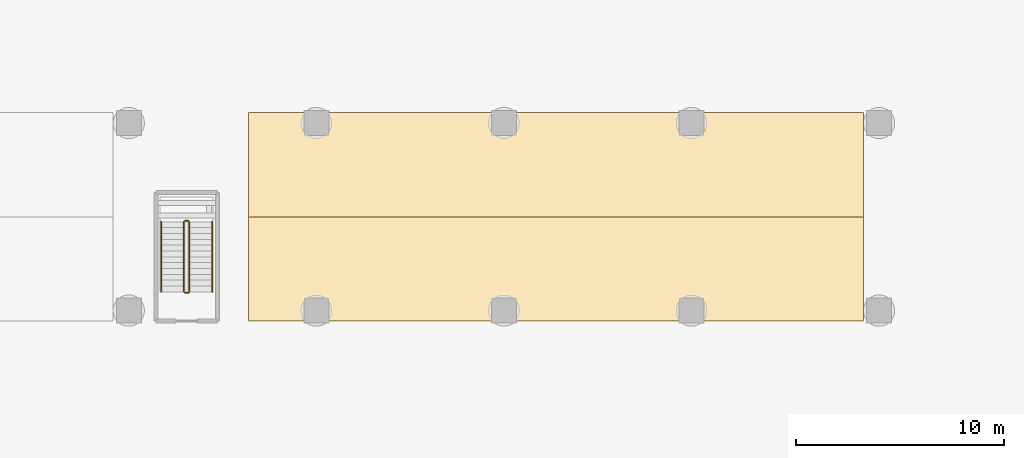
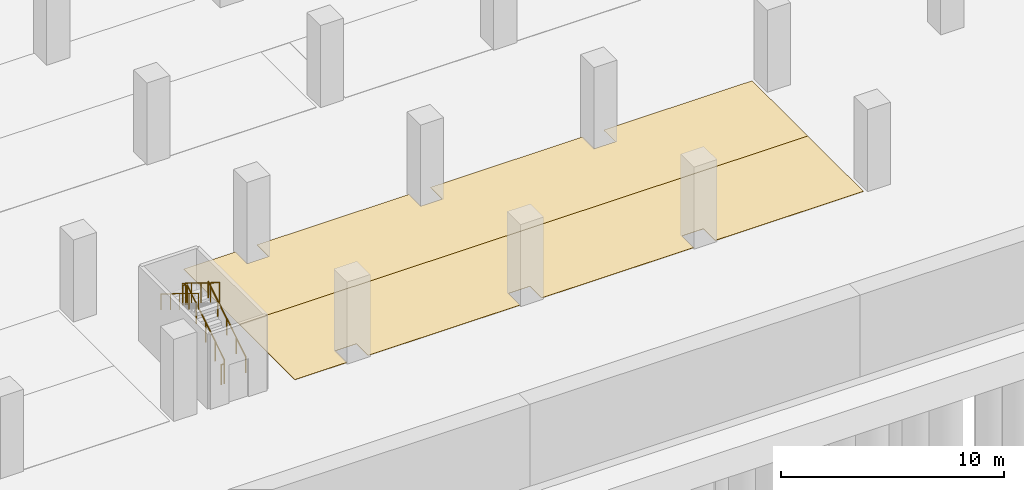
# One storey, part 27 of 39: 6 railings, 2 coverings.
"""IFC4 building model written with IfcOpenShell, lengths in metres."""

import ifcopenshell
import ifcopenshell.guid

model = None  # the IFC model being written
_history = None  # IfcOwnerHistory: only IFC2X3 demands one
_inside = {}  # id of a spatial element -> (the spatial element, [elements in it])
_under = {}  # id of a project, library or spatial element -> (it, [spatial elements below it])
_declared = {}  # id of a project -> (the project, [libraries it declares])
_typed = {}  # id of a type object -> (the type object, [elements of that type])
_made_of = {}  # id of a material, layer set ... -> (it, [elements and type objects made of it])


def new_model(schema):
    """Start an empty IFC model of exactly this schema.

    Asked for "IFC4X3", IfcOpenShell would pick the latest addendum, in which some entities
    have other attributes; the version numbers below select the first issue.
    IFC2X3 requires an IfcOwnerHistory on every rooted entity: one is made here for all.
    """
    global model, _history
    if schema == "IFC4X3":
        model = ifcopenshell.file(schema_version=(4, 3, 0, 0))
    else:
        model = ifcopenshell.file(schema=schema)
    _inside.clear()
    _under.clear()
    _declared.clear()
    _typed.clear()
    _made_of.clear()
    _history = None
    if model.schema == "IFC2X3":
        org = make("IfcOrganization", Name="unknown")
        user = make(
            "IfcPersonAndOrganization",
            ThePerson=make("IfcPerson", FamilyName="unknown"),
            TheOrganization=org,
        )
        app = make(
            "IfcApplication",
            ApplicationDeveloper=org,
            Version="unknown",
            ApplicationFullName="unknown",
            ApplicationIdentifier="unknown",
        )
        _history = make(
            "IfcOwnerHistory",
            OwningUser=user,
            OwningApplication=app,
            ChangeAction="ADDED",
            CreationDate=0,
        )
    return model


def make(cls, **values):
    """One entity of the class cls with the attributes given. An attribute that is None is left unset."""
    return model.create_entity(
        cls, **{name: value for name, value in values.items() if value is not None}
    )


def rooted(cls, **values):
    """An entity with a GlobalId (a new one), such as an element, a storey or a relation."""
    return make(cls, GlobalId=ifcopenshell.guid.new(), OwnerHistory=_history, **values)


def si_unit(unit_type, name, prefix=None):
    """IfcSIUnit, for example si_unit("LENGTHUNIT", "METRE", prefix="MILLI")."""
    return make("IfcSIUnit", UnitType=unit_type, Prefix=prefix, Name=name)


def assignment(units):
    """IfcUnitAssignment: the units of a project."""
    return None if units is None else make("IfcUnitAssignment", Units=units)


def point(xyz):
    """IfcCartesianPoint."""
    return None if xyz is None else make("IfcCartesianPoint", Coordinates=xyz)


def direction(xyz):
    """IfcDirection."""
    return None if xyz is None else make("IfcDirection", DirectionRatios=xyz)


def frame(location, z_axis=None, x_axis=None):
    """IfcAxis2Placement3D, a coordinate frame: its origin and axes. An axis left out is left unset."""
    return make(
        "IfcAxis2Placement3D",
        Location=point(location),
        Axis=direction(z_axis),
        RefDirection=direction(x_axis),
    )


def frame_2d(location, x_axis=None):
    """IfcAxis2Placement2D, a coordinate frame in the plane: its origin and x axis."""
    return make(
        "IfcAxis2Placement2D", Location=point(location), RefDirection=direction(x_axis)
    )


def origin():
    """The frame at (0, 0, 0) with its axes left unset."""
    return frame((0.0, 0.0, 0.0))


def origin_2d():
    """The frame at (0, 0) in the plane with its x axis left unset."""
    return frame_2d((0.0, 0.0))


def place(relative_to, where):
    """IfcLocalPlacement: puts the frame where relative to a parent placement (None: the world)."""
    return make(
        "IfcLocalPlacement", PlacementRelTo=relative_to, RelativePlacement=where
    )


def context(
    kind, dimensions, precision=None, world=None, true_north=None, identifier=None
):
    """IfcGeometricRepresentationContext, for example the 3D "Model" context."""
    return make(
        "IfcGeometricRepresentationContext",
        ContextIdentifier=identifier,
        ContextType=kind,
        CoordinateSpaceDimension=dimensions,
        Precision=precision,
        WorldCoordinateSystem=world,
        TrueNorth=true_north,
    )


def subcontext(parent, identifier, kind, view, scale=None):
    """IfcGeometricRepresentationSubContext, for example "Body" below "Model"."""
    return make(
        "IfcGeometricRepresentationSubContext",
        ContextIdentifier=identifier,
        ContextType=kind,
        ParentContext=parent,
        TargetScale=scale,
        TargetView=view,
    )


def project(units=None, contexts=None):
    """IfcProject with its units and contexts."""
    return rooted(
        "IfcProject",
        Name="project",
        RepresentationContexts=contexts,
        UnitsInContext=assignment(units),
    )


def spatial(cls, under=None, at=None, **own):
    """A site, building, storey or space (cls), placed at a placement, below another one or the project."""
    s = rooted(cls, ObjectPlacement=at, **own)
    if under is not None:
        _under.setdefault(under.id(), (under, []))[1].append(s)
    return s


def polyline(points):
    """IfcPolyline through the points."""
    return make("IfcPolyline", Points=[point(p) for p in points])


def profile(cls, at=None, kind="AREA", **sizes):
    """A parametric profile (cls). Its sizes go by their IFC names, for example OverallWidth=200.0."""
    return make(cls, ProfileType=kind, Position=at, **sizes)


def circle(**sizes):
    """IfcCircleProfileDef."""
    return profile("IfcCircleProfileDef", **sizes)


def outline(outer, holes=None, kind="AREA"):
    """IfcArbitraryClosedProfileDef: a profile drawn as a closed curve; with holes, ...WithVoids."""
    if holes is None:
        return make("IfcArbitraryClosedProfileDef", ProfileType=kind, OuterCurve=outer)
    return make(
        "IfcArbitraryProfileDefWithVoids",
        ProfileType=kind,
        OuterCurve=outer,
        InnerCurves=holes,
    )


def extrude(swept, where, along, depth):
    """IfcExtrudedAreaSolid: the profile swept, set in the frame where, extruded along a direction by depth."""
    return make(
        "IfcExtrudedAreaSolid",
        SweptArea=swept,
        Position=where,
        ExtrudedDirection=direction(along),
        Depth=depth,
    )


def shape(context_of_items, identifier, shape_type, items):
    """IfcShapeRepresentation: the items that make up one representation, for example the "Body"."""
    return make(
        "IfcShapeRepresentation",
        ContextOfItems=context_of_items,
        RepresentationIdentifier=identifier,
        RepresentationType=shape_type,
        Items=items,
    )


def material(Name=None, Category=None):
    """IfcMaterial."""
    return make("IfcMaterial", Name=Name, Category=Category)


def layer(
    of_material, thickness, ventilated=None, Name=None, Category=None, Priority=None
):
    """IfcMaterialLayer: one layer of a wall or slab, of a material (None: an air gap)."""
    return make(
        "IfcMaterialLayer",
        Material=of_material,
        LayerThickness=thickness,
        IsVentilated=ventilated,
        Name=Name,
        Category=Category,
        Priority=Priority,
    )


def layer_set(layers, Name=None):
    """IfcMaterialLayerSet."""
    return make("IfcMaterialLayerSet", MaterialLayers=layers, LayerSetName=Name)


def made_of(thing, what):
    """Note that an element or type object is made of a material, layer set ...; save() writes the relation."""
    if what is not None:
        _made_of.setdefault(what.id(), (what, []))[1].append(thing)
    return thing


def type_object(cls, material=None, **own):
    """A type object (cls), such as IfcWallType, which elements share."""
    return made_of(rooted(cls, **own), material)


def element(
    cls,
    number,
    at=None,
    inside=None,
    cuts=None,
    type_object=None,
    material=None,
    context=None,
    identifier="Body",
    shape_type=None,
    held_by="IfcProductDefinitionShape",
    body=None,
    shapes=None,
    **own,
):
    """One element of the class cls, such as IfcWall. Its Tag is "e" and its number.

    at: its placement. inside: the storey or other place that contains it. cuts: it is an
    opening in that element (IfcRelVoidsElement). A single representation is given by context,
    identifier, shape_type and body (its items); several are given by shapes. held_by: the class
    of the entity that holds the representations. save() writes the other relations.
    """
    e = rooted(cls, Tag="e%d" % number, ObjectPlacement=at, **own)
    if body is not None:
        shapes = [shape(context, identifier, shape_type, body)]
    if shapes is not None:
        e.Representation = make(held_by, Representations=shapes)
    if inside is not None:
        _inside.setdefault(inside.id(), (inside, []))[1].append(e)
    if cuts is not None:
        rooted(
            "IfcRelVoidsElement", RelatingBuildingElement=cuts, RelatedOpeningElement=e
        )
    if type_object is not None:
        _typed.setdefault(type_object.id(), (type_object, []))[1].append(e)
    return made_of(e, material)


def aggregate(whole, parts):
    """IfcRelAggregates: a whole, such as a stair, and the parts it consists of."""
    return rooted("IfcRelAggregates", RelatingObject=whole, RelatedObjects=parts)


def save(model, path):
    """Write the relations noted so far, then the file.

    IfcRelAggregates (storeys below a building ...), IfcRelContainedInSpatialStructure (elements
    in a storey), IfcRelDefinesByType, IfcRelAssociatesMaterial and IfcRelDeclares: one each for
    every whole, place, type object, material and project.
    """
    for whole, parts in _under.values():
        aggregate(whole, parts)
    for where, things in _inside.values():
        rooted(
            "IfcRelContainedInSpatialStructure",
            RelatedElements=things,
            RelatingStructure=where,
        )
    for kind, things in _typed.values():
        rooted("IfcRelDefinesByType", RelatedObjects=things, RelatingType=kind)
    for what, things in _made_of.values():
        rooted("IfcRelAssociatesMaterial", RelatedObjects=things, RelatingMaterial=what)
    for by, libraries in _declared.values():
        rooted("IfcRelDeclares", RelatingContext=by, RelatedDefinitions=libraries)
    model.write(path)


model = new_model("IFC4")

# Units and contexts
model_context = context("Model", 3, precision=1e-05, world=origin(), true_north=direction((0.0, 1.0)))
body_context = subcontext(model_context, "Body", "Model", "MODEL_VIEW")
ifc_project = project(units=[si_unit("LENGTHUNIT", "METRE"), si_unit("AREAUNIT", "SQUARE_METRE"), si_unit("VOLUMEUNIT", "CUBIC_METRE"), si_unit("PLANEANGLEUNIT", "RADIAN"), si_unit("MASSUNIT", "GRAM", prefix="KILO")], contexts=[model_context])

# Site, building, storey
site_placement = place(None, origin())
site = spatial("IfcSite", under=ifc_project, at=site_placement, CompositionType="ELEMENT")
building_placement = place(site_placement, origin())
building = spatial("IfcBuilding", under=site, at=building_placement, Name="Ogive Gate Towers", CompositionType="ELEMENT")
storey_placement = place(building_placement, frame((0.0, 0.0, -9.0)))
storey = spatial("IfcBuildingStorey", under=building, at=storey_placement, Name="B2", CompositionType="ELEMENT", Elevation=-9.0)

# Railings
ifc_material_1 = material(Name="Painted steel", Category="steel")
railing_type_1 = type_object("IfcRailingType", Name="Car park stair guard 1100", PredefinedType="GUARDRAIL", material=ifc_material_1)
railing_1_placement = place(storey_placement, frame((-42.10009765625, -62.10009765625, 0.173095703125)))
element("IfcRailing", 1, at=railing_1_placement, inside=storey, type_object=railing_type_1, Name="B2 CS6 stair guard 1", PredefinedType="GUARDRAIL", context=body_context, shape_type="SweptSolid", body=[
    extrude(circle(Radius=0.02392578125, at=origin_2d()), frame((0.0, 0.0, 1.076171875), z_axis=(0.0, 0.850623216509, 0.525775754039), x_axis=(-1.0, 0.0, 0.0)), (0.0, 0.0, 1.0), 3.9501953125),
    extrude(circle(Radius=0.02099609375, at=origin_2d()), origin(), (0.0, 0.0, 1.0), 1.052001953125),
    extrude(circle(Radius=0.02099609375, at=origin_2d()), frame((0.0, 0.840087890625, 0.519287109375)), (0.0, 0.0, 1.0), 1.052001953125),
    extrude(circle(Radius=0.02099609375, at=origin_2d()), frame((0.0, 1.68017578125, 1.03857421875)), (0.0, 0.0, 1.0), 1.052001953125),
    extrude(circle(Radius=0.02099609375, at=origin_2d()), frame((0.0, 2.52001953125, 1.5576171875)), (0.0, 0.0, 1.0), 1.052001953125),
    extrude(circle(Radius=0.02099609375, at=origin_2d()), frame((0.0, 3.360107421875, 2.076904296875)), (0.0, 0.0, 1.0), 1.052001953125),
])
railing_2_placement = place(storey_placement, frame((-42.14990234375, -58.68994140625, 2.25)))
element("IfcRailing", 2, at=railing_2_placement, inside=storey, type_object=railing_type_1, Name="B2 CS6 stair guard 2", PredefinedType="GUARDRAIL", context=body_context, shape_type="SweptSolid", body=[
    extrude(circle(Radius=0.02392578125, at=origin_2d()), frame((0.0, 0.0, 1.076171875), z_axis=(-1.0, 0.0, 0.0), x_axis=(0.0, -1.0, 0.0)), (0.0, 0.0, 1.0), 0.150146484375),
    extrude(circle(Radius=0.02099609375, at=origin_2d()), origin(), (0.0, 0.0, 1.0), 1.052001953125),
    extrude(circle(Radius=0.02099609375, at=origin_2d()), frame((-0.150146484375, 0.0, 0.0)), (0.0, 0.0, 1.0), 1.052001953125),
])
railing_3_placement = place(storey_placement, frame((-42.35009765625, -58.739990234375, 2.423095703125)))
element("IfcRailing", 3, at=railing_3_placement, inside=storey, type_object=railing_type_1, Name="B2 CS6 stair guard 3", PredefinedType="GUARDRAIL", context=body_context, shape_type="SweptSolid", body=[
    extrude(circle(Radius=0.02392578125, at=origin_2d()), frame((0.0, 0.0, 1.076171875), z_axis=(0.0, -0.850623216509, 0.525775754039), x_axis=(1.0, 0.0, 0.0)), (0.0, 0.0, 1.0), 3.9501953125),
    extrude(circle(Radius=0.02099609375, at=origin_2d()), origin(), (0.0, 0.0, 1.0), 1.052001953125),
    extrude(circle(Radius=0.02099609375, at=origin_2d()), frame((0.0, -0.840087890625, 0.519287109375)), (0.0, 0.0, 1.0), 1.052001953125),
    extrude(circle(Radius=0.02099609375, at=origin_2d()), frame((0.0, -1.68017578125, 1.03857421875)), (0.0, 0.0, 1.0), 1.052001953125),
    extrude(circle(Radius=0.02099609375, at=origin_2d()), frame((0.0, -2.52001953125, 1.5576171875)), (0.0, 0.0, 1.0), 1.052001953125),
    extrude(circle(Radius=0.02099609375, at=origin_2d()), frame((0.0, -3.360107421875, 2.076904296875)), (0.0, 0.0, 1.0), 1.052001953125),
])
railing_4_placement = place(storey_placement, frame((-42.14990234375, -62.14990234375, 0.0)))
element("IfcRailing", 4, at=railing_4_placement, inside=storey, type_object=railing_type_1, Name="B2 CS6 stair guard 4", PredefinedType="GUARDRAIL", context=body_context, shape_type="SweptSolid", body=[
    extrude(circle(Radius=0.02392578125, at=origin_2d()), frame((0.0, 0.0, 1.076171875), z_axis=(-1.0, 0.0, 0.0), x_axis=(0.0, -1.0, 0.0)), (0.0, 0.0, 1.0), 0.150146484375),
    extrude(circle(Radius=0.02099609375, at=origin_2d()), origin(), (0.0, 0.0, 1.0), 1.052001953125),
    extrude(circle(Radius=0.02099609375, at=origin_2d()), frame((-0.150146484375, 0.0, 0.0)), (0.0, 0.0, 1.0), 1.052001953125),
])
ifc_material_2 = material(Name="Stainless steel handrail", Category="steel")
railing_type_2 = type_object("IfcRailingType", Name="Car park stair handrail 900", PredefinedType="HANDRAIL", material=ifc_material_2)
railing_5_placement = place(storey_placement, frame((-41.0, -62.10009765625, 0.173095703125)))
element("IfcRailing", 5, at=railing_5_placement, inside=storey, type_object=railing_type_2, Name="B2 CS6 stair handrail 1", PredefinedType="HANDRAIL", context=body_context, shape_type="SweptSolid", body=[
    extrude(circle(Radius=0.02392578125, at=origin_2d()), frame((0.0, 0.0, 0.8759765625), z_axis=(0.0, 0.850623216509, 0.525775754039), x_axis=(-1.0, 0.0, 0.0)), (0.0, 0.0, 1.0), 3.9501953125),
    extrude(circle(Radius=0.02099609375, at=origin_2d()), origin(), (0.0, 0.0, 1.0), 0.851806640625),
    extrude(circle(Radius=0.02099609375, at=origin_2d()), frame((0.0, 0.840087890625, 0.519287109375)), (0.0, 0.0, 1.0), 0.851806640625),
    extrude(circle(Radius=0.02099609375, at=origin_2d()), frame((0.0, 1.68017578125, 1.03857421875)), (0.0, 0.0, 1.0), 0.851806640625),
    extrude(circle(Radius=0.02099609375, at=origin_2d()), frame((0.0, 2.52001953125, 1.5576171875)), (0.0, 0.0, 1.0), 0.851806640625),
    extrude(circle(Radius=0.02099609375, at=origin_2d()), frame((0.0, 3.360107421875, 2.076904296875)), (0.0, 0.0, 1.0), 0.851806640625),
])
railing_6_placement = place(storey_placement, frame((-43.449951171875, -58.739990234375, 2.423095703125)))
element("IfcRailing", 6, at=railing_6_placement, inside=storey, type_object=railing_type_2, Name="B2 CS6 stair handrail 2", PredefinedType="HANDRAIL", context=body_context, shape_type="SweptSolid", body=[
    extrude(circle(Radius=0.02392578125, at=origin_2d()), frame((0.0, 0.0, 0.8759765625), z_axis=(0.0, -0.850623216509, 0.525775754039), x_axis=(1.0, 0.0, 0.0)), (0.0, 0.0, 1.0), 3.9501953125),
    extrude(circle(Radius=0.02099609375, at=origin_2d()), origin(), (0.0, 0.0, 1.0), 0.851806640625),
    extrude(circle(Radius=0.02099609375, at=origin_2d()), frame((0.0, -0.840087890625, 0.519287109375)), (0.0, 0.0, 1.0), 0.851806640625),
    extrude(circle(Radius=0.02099609375, at=origin_2d()), frame((0.0, -1.68017578125, 1.03857421875)), (0.0, 0.0, 1.0), 0.851806640625),
    extrude(circle(Radius=0.02099609375, at=origin_2d()), frame((0.0, -2.52001953125, 1.5576171875)), (0.0, 0.0, 1.0), 0.851806640625),
    extrude(circle(Radius=0.02099609375, at=origin_2d()), frame((0.0, -3.360107421875, 2.076904296875)), (0.0, 0.0, 1.0), 0.851806640625),
])

# Coverings
ifc_material_3 = material(Name="Painted floor marking")
ifc_layer = layer(ifc_material_3, 0.02001953125)
ifc_layer_set = layer_set([ifc_layer], Name="Parking bay marking")
covering_type = type_object("IfcCoveringType", Name="Parking bay marking", PredefinedType="FLOORING", material=ifc_layer_set)
covering_1_placement = place(storey_placement, origin())
element("IfcCovering", 7, at=covering_1_placement, inside=storey, type_object=covering_type, Name="Parking bays B2-361 to B2-370", PredefinedType="FLOORING", context=body_context, shape_type="SweptSolid", body=[
    extrude(outline(polyline([(-9.75, -58.5), (-9.75, -63.5), (-17.449951171875, -63.5), (-17.449951171875, -62.449951171875), (-18.550048828125, -62.449951171875), (-18.550048828125, -63.5), (-26.449951171875, -63.5), (-26.449951171875, -62.449951171875), (-27.550048828125, -62.449951171875), (-27.550048828125, -63.5), (-35.449951171875, -63.5), (-35.449951171875, -62.449951171875), (-36.550048828125, -62.449951171875), (-36.550048828125, -63.5), (-39.25, -63.5), (-39.25, -58.5), (-9.75, -58.5)])), origin(), (0.0, 0.0, 1.0), 0.02001953125),
])
covering_2_placement = place(storey_placement, origin())
element("IfcCovering", 8, at=covering_2_placement, inside=storey, type_object=covering_type, Name="Parking bays B2-774 to B2-783", PredefinedType="FLOORING", context=body_context, shape_type="SweptSolid", body=[
    extrude(outline(polyline([(-36.550048828125, -53.5), (-36.550048828125, -54.550048828125), (-35.449951171875, -54.550048828125), (-35.449951171875, -53.5), (-27.550048828125, -53.5), (-27.550048828125, -54.550048828125), (-26.449951171875, -54.550048828125), (-26.449951171875, -53.5), (-18.550048828125, -53.5), (-18.550048828125, -54.550048828125), (-17.449951171875, -54.550048828125), (-17.449951171875, -53.5), (-9.75, -53.5), (-9.75, -58.5), (-39.25, -58.5), (-39.25, -53.5), (-36.550048828125, -53.5)])), origin(), (0.0, 0.0, 1.0), 0.02001953125),
])

save(model, "model.ifc")
